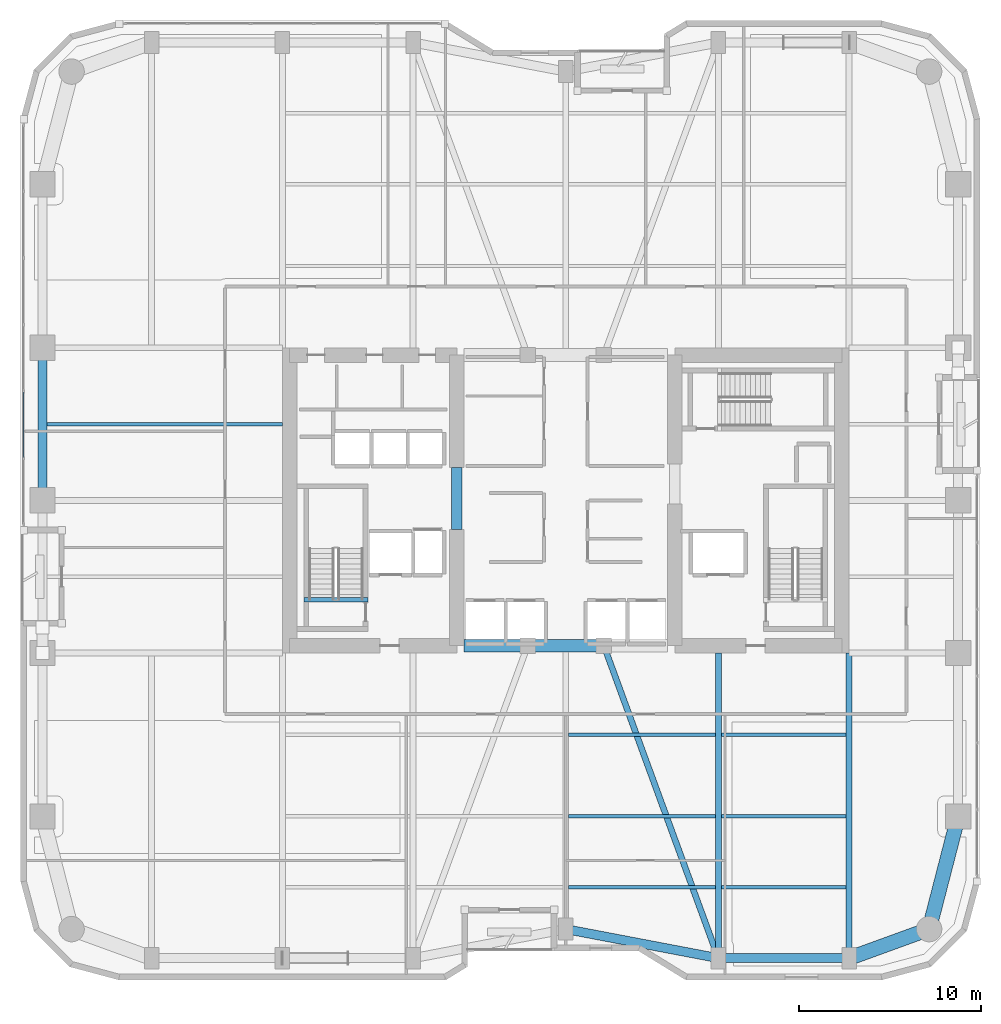
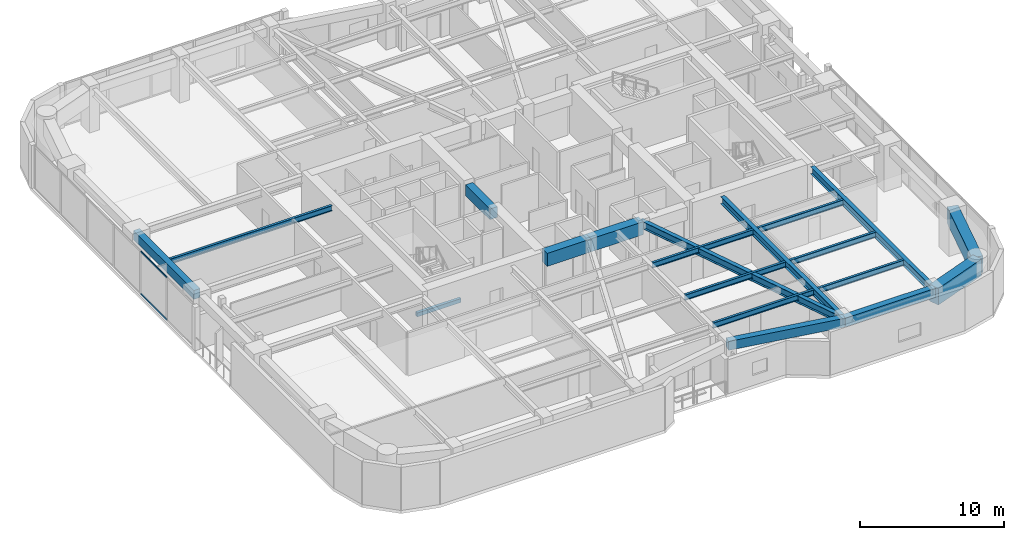
# One storey, part 3 of 24: 19 beams, 2 members, 1 element without a shape of its own.
"""IFC4 building model written with IfcOpenShell, lengths in metres."""

import ifcopenshell
import ifcopenshell.guid

model = None  # the IFC model being written
_history = None  # IfcOwnerHistory: only IFC2X3 demands one
_inside = {}  # id of a spatial element -> (the spatial element, [elements in it])
_under = {}  # id of a project, library or spatial element -> (it, [spatial elements below it])
_declared = {}  # id of a project -> (the project, [libraries it declares])
_typed = {}  # id of a type object -> (the type object, [elements of that type])
_made_of = {}  # id of a material, layer set ... -> (it, [elements and type objects made of it])


def new_model(schema):
    """Start an empty IFC model of exactly this schema.

    Asked for "IFC4X3", IfcOpenShell would pick the latest addendum, in which some entities
    have other attributes; the version numbers below select the first issue.
    IFC2X3 requires an IfcOwnerHistory on every rooted entity: one is made here for all.
    """
    global model, _history
    if schema == "IFC4X3":
        model = ifcopenshell.file(schema_version=(4, 3, 0, 0))
    else:
        model = ifcopenshell.file(schema=schema)
    _inside.clear()
    _under.clear()
    _declared.clear()
    _typed.clear()
    _made_of.clear()
    _history = None
    if model.schema == "IFC2X3":
        org = make("IfcOrganization", Name="unknown")
        user = make(
            "IfcPersonAndOrganization",
            ThePerson=make("IfcPerson", FamilyName="unknown"),
            TheOrganization=org,
        )
        app = make(
            "IfcApplication",
            ApplicationDeveloper=org,
            Version="unknown",
            ApplicationFullName="unknown",
            ApplicationIdentifier="unknown",
        )
        _history = make(
            "IfcOwnerHistory",
            OwningUser=user,
            OwningApplication=app,
            ChangeAction="ADDED",
            CreationDate=0,
        )
    return model


def make(cls, **values):
    """One entity of the class cls with the attributes given. An attribute that is None is left unset."""
    return model.create_entity(
        cls, **{name: value for name, value in values.items() if value is not None}
    )


def rooted(cls, **values):
    """An entity with a GlobalId (a new one), such as an element, a storey or a relation."""
    return make(cls, GlobalId=ifcopenshell.guid.new(), OwnerHistory=_history, **values)


def si_unit(unit_type, name, prefix=None):
    """IfcSIUnit, for example si_unit("LENGTHUNIT", "METRE", prefix="MILLI")."""
    return make("IfcSIUnit", UnitType=unit_type, Prefix=prefix, Name=name)


def assignment(units):
    """IfcUnitAssignment: the units of a project."""
    return None if units is None else make("IfcUnitAssignment", Units=units)


def point(xyz):
    """IfcCartesianPoint."""
    return None if xyz is None else make("IfcCartesianPoint", Coordinates=xyz)


def direction(xyz):
    """IfcDirection."""
    return None if xyz is None else make("IfcDirection", DirectionRatios=xyz)


def frame(location, z_axis=None, x_axis=None):
    """IfcAxis2Placement3D, a coordinate frame: its origin and axes. An axis left out is left unset."""
    return make(
        "IfcAxis2Placement3D",
        Location=point(location),
        Axis=direction(z_axis),
        RefDirection=direction(x_axis),
    )


def frame_2d(location, x_axis=None):
    """IfcAxis2Placement2D, a coordinate frame in the plane: its origin and x axis."""
    return make(
        "IfcAxis2Placement2D", Location=point(location), RefDirection=direction(x_axis)
    )


def origin():
    """The frame at (0, 0, 0) with its axes left unset."""
    return frame((0.0, 0.0, 0.0))


def origin_2d():
    """The frame at (0, 0) in the plane with its x axis left unset."""
    return frame_2d((0.0, 0.0))


def place(relative_to, where):
    """IfcLocalPlacement: puts the frame where relative to a parent placement (None: the world)."""
    return make(
        "IfcLocalPlacement", PlacementRelTo=relative_to, RelativePlacement=where
    )


def context(
    kind, dimensions, precision=None, world=None, true_north=None, identifier=None
):
    """IfcGeometricRepresentationContext, for example the 3D "Model" context."""
    return make(
        "IfcGeometricRepresentationContext",
        ContextIdentifier=identifier,
        ContextType=kind,
        CoordinateSpaceDimension=dimensions,
        Precision=precision,
        WorldCoordinateSystem=world,
        TrueNorth=true_north,
    )


def subcontext(parent, identifier, kind, view, scale=None):
    """IfcGeometricRepresentationSubContext, for example "Body" below "Model"."""
    return make(
        "IfcGeometricRepresentationSubContext",
        ContextIdentifier=identifier,
        ContextType=kind,
        ParentContext=parent,
        TargetScale=scale,
        TargetView=view,
    )


def project(units=None, contexts=None):
    """IfcProject with its units and contexts."""
    return rooted(
        "IfcProject",
        Name="project",
        RepresentationContexts=contexts,
        UnitsInContext=assignment(units),
    )


def spatial(cls, under=None, at=None, **own):
    """A site, building, storey or space (cls), placed at a placement, below another one or the project."""
    s = rooted(cls, ObjectPlacement=at, **own)
    if under is not None:
        _under.setdefault(under.id(), (under, []))[1].append(s)
    return s


def profile(cls, at=None, kind="AREA", **sizes):
    """A parametric profile (cls). Its sizes go by their IFC names, for example OverallWidth=200.0."""
    return make(cls, ProfileType=kind, Position=at, **sizes)


def rectangle(**sizes):
    """IfcRectangleProfileDef."""
    return profile("IfcRectangleProfileDef", **sizes)


def hollow_rectangle(**sizes):
    """IfcRectangleHollowProfileDef."""
    return profile("IfcRectangleHollowProfileDef", **sizes)


def i_section(**sizes):
    """IfcIShapeProfileDef."""
    return profile("IfcIShapeProfileDef", **sizes)


def extrude(swept, where, along, depth):
    """IfcExtrudedAreaSolid: the profile swept, set in the frame where, extruded along a direction by depth."""
    return make(
        "IfcExtrudedAreaSolid",
        SweptArea=swept,
        Position=where,
        ExtrudedDirection=direction(along),
        Depth=depth,
    )


def shape(context_of_items, identifier, shape_type, items):
    """IfcShapeRepresentation: the items that make up one representation, for example the "Body"."""
    return make(
        "IfcShapeRepresentation",
        ContextOfItems=context_of_items,
        RepresentationIdentifier=identifier,
        RepresentationType=shape_type,
        Items=items,
    )


def material(Name=None, Category=None):
    """IfcMaterial."""
    return make("IfcMaterial", Name=Name, Category=Category)


def layer(
    of_material, thickness, ventilated=None, Name=None, Category=None, Priority=None
):
    """IfcMaterialLayer: one layer of a wall or slab, of a material (None: an air gap)."""
    return make(
        "IfcMaterialLayer",
        Material=of_material,
        LayerThickness=thickness,
        IsVentilated=ventilated,
        Name=Name,
        Category=Category,
        Priority=Priority,
    )


def layer_set(layers, Name=None):
    """IfcMaterialLayerSet."""
    return make("IfcMaterialLayerSet", MaterialLayers=layers, LayerSetName=Name)


def material_profile(
    of_material, cross_section, Name=None, Category=None, Priority=None
):
    """IfcMaterialProfile: a cross section and its material."""
    return make(
        "IfcMaterialProfile",
        Name=Name,
        Material=of_material,
        Profile=cross_section,
        Priority=Priority,
        Category=Category,
    )


def profile_set(profiles, Name=None, composite=None):
    """IfcMaterialProfileSet."""
    return make(
        "IfcMaterialProfileSet",
        Name=Name,
        MaterialProfiles=profiles,
        CompositeProfile=composite,
    )


def made_of(thing, what):
    """Note that an element or type object is made of a material, layer set ...; save() writes the relation."""
    if what is not None:
        _made_of.setdefault(what.id(), (what, []))[1].append(thing)
    return thing


def type_object(cls, material=None, **own):
    """A type object (cls), such as IfcWallType, which elements share."""
    return made_of(rooted(cls, **own), material)


def element(
    cls,
    number,
    at=None,
    inside=None,
    cuts=None,
    type_object=None,
    material=None,
    context=None,
    identifier="Body",
    shape_type=None,
    held_by="IfcProductDefinitionShape",
    body=None,
    shapes=None,
    **own,
):
    """One element of the class cls, such as IfcWall. Its Tag is "e" and its number.

    at: its placement. inside: the storey or other place that contains it. cuts: it is an
    opening in that element (IfcRelVoidsElement). A single representation is given by context,
    identifier, shape_type and body (its items); several are given by shapes. held_by: the class
    of the entity that holds the representations. save() writes the other relations.
    """
    e = rooted(cls, Tag="e%d" % number, ObjectPlacement=at, **own)
    if body is not None:
        shapes = [shape(context, identifier, shape_type, body)]
    if shapes is not None:
        e.Representation = make(held_by, Representations=shapes)
    if inside is not None:
        _inside.setdefault(inside.id(), (inside, []))[1].append(e)
    if cuts is not None:
        rooted(
            "IfcRelVoidsElement", RelatingBuildingElement=cuts, RelatedOpeningElement=e
        )
    if type_object is not None:
        _typed.setdefault(type_object.id(), (type_object, []))[1].append(e)
    return made_of(e, material)


def aggregate(whole, parts):
    """IfcRelAggregates: a whole, such as a stair, and the parts it consists of."""
    return rooted("IfcRelAggregates", RelatingObject=whole, RelatedObjects=parts)


def save(model, path):
    """Write the relations noted so far, then the file.

    IfcRelAggregates (storeys below a building ...), IfcRelContainedInSpatialStructure (elements
    in a storey), IfcRelDefinesByType, IfcRelAssociatesMaterial and IfcRelDeclares: one each for
    every whole, place, type object, material and project.
    """
    for whole, parts in _under.values():
        aggregate(whole, parts)
    for where, things in _inside.values():
        rooted(
            "IfcRelContainedInSpatialStructure",
            RelatedElements=things,
            RelatingStructure=where,
        )
    for kind, things in _typed.values():
        rooted("IfcRelDefinesByType", RelatedObjects=things, RelatingType=kind)
    for what, things in _made_of.values():
        rooted("IfcRelAssociatesMaterial", RelatedObjects=things, RelatingMaterial=what)
    for by, libraries in _declared.values():
        rooted("IfcRelDeclares", RelatingContext=by, RelatedDefinitions=libraries)
    model.write(path)


model = new_model("IFC4")

# Units and contexts
model_context = context("Model", 3, precision=1e-05, world=origin(), true_north=direction((0.0, 1.0)))
body_context = subcontext(model_context, "Body", "Model", "MODEL_VIEW")
ifc_project = project(units=[si_unit("LENGTHUNIT", "METRE"), si_unit("AREAUNIT", "SQUARE_METRE"), si_unit("VOLUMEUNIT", "CUBIC_METRE"), si_unit("PLANEANGLEUNIT", "RADIAN"), si_unit("MASSUNIT", "GRAM", prefix="KILO")], contexts=[model_context])

# Site, building, storey
site_placement = place(None, origin())
site = spatial("IfcSite", under=ifc_project, at=site_placement, CompositionType="ELEMENT")
building_placement = place(site_placement, origin())
building = spatial("IfcBuilding", under=site, at=building_placement, Name="Kiyonajd Concourse Tower", CompositionType="ELEMENT")
storey_placement = place(building_placement, frame((0.0, 0.0, 93.60009765625)))
storey = spatial("IfcBuildingStorey", under=building, at=storey_placement, Name="L24", CompositionType="ELEMENT", Elevation=93.60009765625)

# Beams
ifc_material_1 = material(Name="Concrete C70/85", Category="concrete")
ifc_material_profile_1 = material_profile(ifc_material_1, rectangle(XDim=0.699951171875, YDim=1.10009765625, at=origin_2d()), Name="RCBM-700x1100")
ifc_profile_set_1 = profile_set([ifc_material_profile_1], Name="Concrete C70/85")
beam_type_1 = type_object("IfcBeamType", Name="BM-COUP-1100", PredefinedType="LINTEL", material=ifc_profile_set_1)
beam_1_placement = place(storey_placement, frame((42.39990234375, 28.0, 3.08984375), z_axis=(1.0, 0.0, 0.0), x_axis=(0.0, 1.0, 0.0)))
element("IfcBeam", 1, at=beam_1_placement, inside=storey, type_object=beam_type_1, Name="L24 Core Coupling Beam S1", PredefinedType="LINTEL", context=body_context, shape_type="SweptSolid", body=[
    extrude(rectangle(XDim=0.699951171875, YDim=1.10009765625, at=origin_2d()), origin(), (0.0, 0.0, 1.0), 3.5),
])
beam_2_placement = place(storey_placement, frame((45.89990234375, 28.0, 3.08984375), z_axis=(1.0, 0.0, 0.0), x_axis=(0.0, 1.0, 0.0)))
element("IfcBeam", 2, at=beam_2_placement, inside=storey, type_object=beam_type_1, Name="L24 Core Coupling Beam S2", PredefinedType="LINTEL", context=body_context, shape_type="SweptSolid", body=[
    extrude(rectangle(XDim=0.699951171875, YDim=1.10009765625, at=origin_2d()), origin(), (0.0, 0.0, 1.0), 4.2001953125),
])
ifc_material_2 = material(Name="Concrete C60/75", Category="concrete")
ifc_material_profile_2 = material_profile(ifc_material_2, rectangle(XDim=0.60009765625, YDim=0.89990234375, at=origin_2d()), Name="RCBM-600x900")
ifc_profile_set_2 = profile_set([ifc_material_profile_2], Name="Concrete C60/75")
beam_type_2 = type_object("IfcBeamType", Name="BM-COUP-900", PredefinedType="LINTEL", material=ifc_profile_set_2)
beam_3_placement = place(storey_placement, frame((42.0, 34.39990234375, 3.08984375), z_axis=(0.0, 1.0, 0.0), x_axis=(-1.0, 0.0, 0.0)))
element("IfcBeam", 3, at=beam_3_placement, inside=storey, type_object=beam_type_2, Name="L24 West Core Throat Coupling Lintel", PredefinedType="LINTEL", context=body_context, shape_type="SweptSolid", body=[
    extrude(rectangle(XDim=0.60009765625, YDim=0.89990234375, at=origin_2d()), origin(), (0.0, 0.0, 1.0), 3.400146484375),
])
ifc_material_3 = material(Name="Steel ASTM A992 Grade 50", Category="steel")
ifc_material_profile_3 = material_profile(ifc_material_3, i_section(OverallWidth=0.19189453125, OverallDepth=0.462890625, WebThickness=0.010498046875, FlangeThickness=0.017578125, at=origin_2d()), Name="W460X89")
ifc_profile_set_3 = profile_set([ifc_material_profile_3], Name="Steel ASTM A992 Grade 50")
beam_type_3 = type_object("IfcBeamType", Name="BM-JST-460B", PredefinedType="JOIST", material=ifc_profile_set_3)
beam_4_placement = place(storey_placement, frame((48.16357421875, 14.699951171875, 3.408447265625), z_axis=(1.0, 0.0, 0.0), x_axis=(0.0, 1.0, 0.0)))
element("IfcBeam", 4, at=beam_4_placement, inside=storey, type_object=beam_type_3, Name="L24 Secondary Floor Joist", PredefinedType="JOIST", context=body_context, shape_type="SweptSolid", body=[
    extrude(i_section(OverallWidth=0.19189453125, OverallDepth=0.462890625, WebThickness=0.010498046875, FlangeThickness=0.017578125, at=origin_2d()), origin(), (0.0, 0.0, 1.0), 8.072998046875),
])
beam_5_placement = place(storey_placement, frame((56.5634765625, 14.699951171875, 3.408447265625), z_axis=(1.0, 0.0, 0.0), x_axis=(0.0, 1.0, 0.0)))
element("IfcBeam", 5, at=beam_5_placement, inside=storey, type_object=beam_type_3, Name="L24 Secondary Floor Joist", PredefinedType="JOIST", context=body_context, shape_type="SweptSolid", body=[
    extrude(i_section(OverallWidth=0.19189453125, OverallDepth=0.462890625, WebThickness=0.010498046875, FlangeThickness=0.017578125, at=origin_2d()), origin(), (0.0, 0.0, 1.0), 6.873046875),
])
beam_6_placement = place(storey_placement, frame((48.16357421875, 18.60009765625, 3.408447265625), z_axis=(1.0, 0.0, 0.0), x_axis=(0.0, 1.0, 0.0)))
element("IfcBeam", 6, at=beam_6_placement, inside=storey, type_object=beam_type_3, Name="L24 Secondary Floor Joist", PredefinedType="JOIST", context=body_context, shape_type="SweptSolid", body=[
    extrude(i_section(OverallWidth=0.19189453125, OverallDepth=0.462890625, WebThickness=0.010498046875, FlangeThickness=0.017578125, at=origin_2d()), origin(), (0.0, 0.0, 1.0), 8.072998046875),
])
beam_7_placement = place(storey_placement, frame((56.5634765625, 18.60009765625, 3.408447265625), z_axis=(1.0, 0.0, 0.0), x_axis=(0.0, 1.0, 0.0)))
element("IfcBeam", 7, at=beam_7_placement, inside=storey, type_object=beam_type_3, Name="L24 Secondary Floor Joist", PredefinedType="JOIST", context=body_context, shape_type="SweptSolid", body=[
    extrude(i_section(OverallWidth=0.19189453125, OverallDepth=0.462890625, WebThickness=0.010498046875, FlangeThickness=0.017578125, at=origin_2d()), origin(), (0.0, 0.0, 1.0), 6.873046875),
])
beam_8_placement = place(storey_placement, frame((48.16357421875, 23.10009765625, 3.408447265625), z_axis=(1.0, 0.0, 0.0), x_axis=(0.0, 1.0, 0.0)))
element("IfcBeam", 8, at=beam_8_placement, inside=storey, type_object=beam_type_3, Name="L24 Secondary Floor Joist", PredefinedType="JOIST", context=body_context, shape_type="SweptSolid", body=[
    extrude(i_section(OverallWidth=0.19189453125, OverallDepth=0.462890625, WebThickness=0.010498046875, FlangeThickness=0.017578125, at=origin_2d()), origin(), (0.0, 0.0, 1.0), 8.072998046875),
])
beam_9_placement = place(storey_placement, frame((56.5634765625, 23.10009765625, 3.408447265625), z_axis=(1.0, 0.0, 0.0), x_axis=(0.0, 1.0, 0.0)))
element("IfcBeam", 9, at=beam_9_placement, inside=storey, type_object=beam_type_3, Name="L24 Secondary Floor Joist", PredefinedType="JOIST", context=body_context, shape_type="SweptSolid", body=[
    extrude(i_section(OverallWidth=0.19189453125, OverallDepth=0.462890625, WebThickness=0.010498046875, FlangeThickness=0.017578125, at=origin_2d()), origin(), (0.0, 0.0, 1.0), 6.873046875),
])
beam_10_placement = place(storey_placement, frame((19.449951171875, 40.199951171875, 3.408447265625), z_axis=(1.0, 0.0, 0.0), x_axis=(0.0, 1.0, 0.0)))
element("IfcBeam", 10, at=beam_10_placement, inside=storey, type_object=beam_type_3, Name="L24 West Secondary Floor Joist", PredefinedType="JOIST", context=body_context, shape_type="SweptSolid", body=[
    extrude(i_section(OverallWidth=0.19189453125, OverallDepth=0.462890625, WebThickness=0.010498046875, FlangeThickness=0.017578125, at=origin_2d()), origin(), (0.0, 0.0, 1.0), 12.949951171875),
])
ifc_material_4 = material(Name="Concrete C50/60", Category="concrete")
ifc_material_profile_4 = material_profile(ifc_material_4, rectangle(XDim=0.239990234375, YDim=0.320068359375, at=origin_2d()), Name="RCBM-240x320")
ifc_profile_set_4 = profile_set([ifc_material_profile_4], Name="Concrete C50/60")
beam_type_4 = type_object("IfcBeamType", Name="BM-LNT-250", PredefinedType="LINTEL", material=ifc_profile_set_4)
beam_11_placement = place(storey_placement, frame((33.590087890625, 30.530029296875, -0.16015625), z_axis=(1.0, 0.0, 0.0), x_axis=(0.0, 1.0, 0.0)))
element("IfcBeam", 11, at=beam_11_placement, inside=storey, type_object=beam_type_4, Name="L24 Stair ST1 Threshold Support Beam", PredefinedType="LINTEL", context=body_context, shape_type="SweptSolid", body=[
    extrude(rectangle(XDim=0.239990234375, YDim=0.320068359375, at=origin_2d()), origin(), (0.0, 0.0, 1.0), 3.52001953125),
])
ifc_material_5 = material(Name="Precast concrete C50/60", Category="concrete")
ifc_material_profile_5 = material_profile(ifc_material_5, rectangle(XDim=0.5, YDim=0.75, at=origin_2d()), Name="RCBM-500x750")
ifc_profile_set_5 = profile_set([ifc_material_profile_5], Name="Precast concrete C50/60")
beam_type_5 = type_object("IfcBeamType", Name="BM-SPAN-RC", PredefinedType="SPANDREL", material=ifc_profile_set_5)
beam_12_placement = place(storey_placement, frame((48.0, 12.39990234375, 3.264892578125), z_axis=(0.982341315253, -0.187097675953, 0.0), x_axis=(0.187097675953, 0.982341315253, 0.0)))
element("IfcBeam", 12, at=beam_12_placement, inside=storey, type_object=beam_type_5, Name="L24 Perimeter Bundled Tube Spandrel", PredefinedType="SPANDREL", context=body_context, shape_type="SweptSolid", body=[
    extrude(rectangle(XDim=0.5, YDim=0.75, at=origin_2d()), origin(), (0.0, 0.0, 1.0), 8.55078125),
])
beam_13_placement = place(storey_placement, frame((56.39990234375, 10.800048828125, 3.264892578125), z_axis=(1.0, 0.0, 0.0), x_axis=(0.0, 1.0, 0.0)))
element("IfcBeam", 13, at=beam_13_placement, inside=storey, type_object=beam_type_5, Name="L24 Perimeter Bundled Tube Spandrel", PredefinedType="SPANDREL", context=body_context, shape_type="SweptSolid", body=[
    extrude(rectangle(XDim=0.5, YDim=0.75, at=origin_2d()), origin(), (0.0, 0.0, 1.0), 7.2001953125),
])
beam_14_placement = place(storey_placement, frame((19.199951171875, 44.39990234375, 3.264892578125), z_axis=(0.0, -1.0, 0.0), x_axis=(1.0, 0.0, 0.0)))
element("IfcBeam", 14, at=beam_14_placement, inside=storey, type_object=beam_type_5, Name="L24 Perimeter Bundled Tube Spandrel", PredefinedType="SPANDREL", context=body_context, shape_type="SweptSolid", body=[
    extrude(rectangle(XDim=0.5, YDim=0.75, at=origin_2d()), origin(), (0.0, 0.0, 1.0), 8.39990234375),
])
ifc_material_profile_6 = material_profile(ifc_material_3, i_section(OverallWidth=0.326904296875, OverallDepth=0.6220703125, WebThickness=0.015380859375, FlangeThickness=0.0244140625, at=origin_2d()), Name="W610X195")
ifc_profile_set_6 = profile_set([ifc_material_profile_6], Name="Steel ASTM A992 Grade 50")
beam_type_6 = type_object("IfcBeamType", Name="BM-TWR-610A", PredefinedType="BEAM", material=ifc_profile_set_6)
beam_15_placement = place(storey_placement, frame((50.10009765625, 28.0, 3.328857421875), z_axis=(0.343925269715, -0.938997022813, 0.0), x_axis=(0.938997022813, 0.343925269715, 0.0)))
element("IfcBeam", 15, at=beam_15_placement, inside=storey, type_object=beam_type_6, Name="L24 Core Tie Girder", PredefinedType="BEAM", context=body_context, shape_type="SweptSolid", body=[
    extrude(i_section(OverallWidth=0.326904296875, OverallDepth=0.6220703125, WebThickness=0.015380859375, FlangeThickness=0.0244140625, at=origin_2d()), origin(), (0.0, 0.0, 1.0), 18.3173828125),
])
for number, where, z_axis, x_axis, name in (
    (16, (56.39990234375, 10.800048828125, 3.328857421875), (0.0, 1.0, 0.0), (-1.0, 0.0, 0.0), "L24 South Lease Girder"),
    (17, (63.60009765625, 10.800048828125, 3.328857421875), (0.0, 1.0, 0.0), (-1.0, 0.0, 0.0), "L24 South Lease Girder"),
):
    element("IfcBeam", number, at=place(storey_placement, frame(where, z_axis=z_axis, x_axis=x_axis)), inside=storey, type_object=beam_type_6, Name=name, PredefinedType="BEAM", context=body_context, shape_type="SweptSolid", body=[
        extrude(i_section(OverallWidth=0.326904296875, OverallDepth=0.6220703125, WebThickness=0.015380859375, FlangeThickness=0.0244140625, at=origin_2d()), origin(), (0.0, 0.0, 1.0), 16.800048828125),
    ])
ifc_material_profile_7 = material_profile(ifc_material_2, rectangle(XDim=0.800048828125, YDim=1.39990234375, at=origin_2d()), Name="RCBM-800x1400")
ifc_profile_set_7 = profile_set([ifc_material_profile_7], Name="Concrete C60/75")
beam_type_7 = type_object("IfcBeamType", Name="BM-XFER-RC", PredefinedType="BEAM", material=ifc_profile_set_7)
beam_16_placement = place(storey_placement, frame((63.60009765625, 10.800048828125, 2.93994140625), z_axis=(0.939801036019, 0.341722127901, 0.0), x_axis=(-0.341722127901, 0.939801036019, 0.0)))
element("IfcBeam", 18, at=beam_16_placement, inside=storey, type_object=beam_type_7, Name="L24 Perimeter Bundled Tube Spandrel", PredefinedType="BEAM", context=body_context, shape_type="SweptSolid", body=[
    extrude(rectangle(XDim=0.800048828125, YDim=1.39990234375, at=origin_2d()), origin(), (0.0, 0.0, 1.0), 4.681640625),
])
beam_17_placement = place(storey_placement, frame((68.0, 12.39990234375, 2.93994140625), z_axis=(0.249884937687, 0.968275538221, 0.0), x_axis=(-0.968275538221, 0.249884937687, 0.0)))
element("IfcBeam", 19, at=beam_17_placement, inside=storey, type_object=beam_type_7, Name="L24 Perimeter Bundled Tube Spandrel", PredefinedType="BEAM", context=body_context, shape_type="SweptSolid", body=[
    extrude(rectangle(XDim=0.800048828125, YDim=1.39990234375, at=origin_2d()), origin(), (0.0, 0.0, 1.0), 6.4033203125),
])

# Curtain wall, members
ifc_material_6 = material(Name="Thermally Broken Anodised Aluminium", Category="aluminium")
ifc_layer = layer(ifc_material_6, 0.179931640625)
ifc_layer_set = layer_set([ifc_layer], Name="Thermally Broken Anodised Aluminium")
curtain_wall_type = type_object("IfcCurtainWallType", Name="CW-SYS-03", PredefinedType="NOTDEFINED", material=ifc_layer_set)
curtain_wall_placement = place(storey_placement, origin())
curtain_wall = element("IfcCurtainWall", 20, at=curtain_wall_placement, inside=storey, type_object=curtain_wall_type, Name="L24 Unitised Curtain Wall CW3", PredefinedType="NOTDEFINED")
ifc_material_profile_8 = material_profile(ifc_material_6, hollow_rectangle(XDim=0.06494140625, YDim=0.139892578125, WallThickness=0.00390625, at=origin_2d()), Name="TRAN-65x140")
ifc_profile_set_8 = profile_set([ifc_material_profile_8], Name="Thermally Broken Anodised Aluminium")
member_type = type_object("IfcMemberType", Name="MB-CW-TRAN1", PredefinedType="USERDEFINED", material=ifc_profile_set_8)
member_1_placement = place(storey_placement, frame((18.159912109375, 38.355712890625, 0.032470703125), z_axis=(0.0, 1.0, 0.0), x_axis=(-1.0, 0.0, 0.0)))
member_1 = element("IfcMember", 21, at=member_1_placement, type_object=member_type, Name="CW3 transom 2.1", ObjectType="TRANSOM", PredefinedType="USERDEFINED", context=body_context, shape_type="SweptSolid", body=[
    extrude(hollow_rectangle(XDim=0.06494140625, YDim=0.139892578125, WallThickness=0.00390625, at=origin_2d()), origin(), (0.0, 0.0, 1.0), 3.608154296875),
])
member_2_placement = place(storey_placement, frame((18.159912109375, 38.355712890625, 3.607421875), z_axis=(0.0, 1.0, 0.0), x_axis=(-1.0, 0.0, 0.0)))
member_2 = element("IfcMember", 22, at=member_2_placement, type_object=member_type, Name="CW3 transom 2.2", ObjectType="TRANSOM", PredefinedType="USERDEFINED", context=body_context, shape_type="SweptSolid", body=[
    extrude(hollow_rectangle(XDim=0.06494140625, YDim=0.139892578125, WallThickness=0.00390625, at=origin_2d()), origin(), (0.0, 0.0, 1.0), 3.608154296875),
])
aggregate(curtain_wall, [member_1, member_2])

save(model, "model.ifc")
